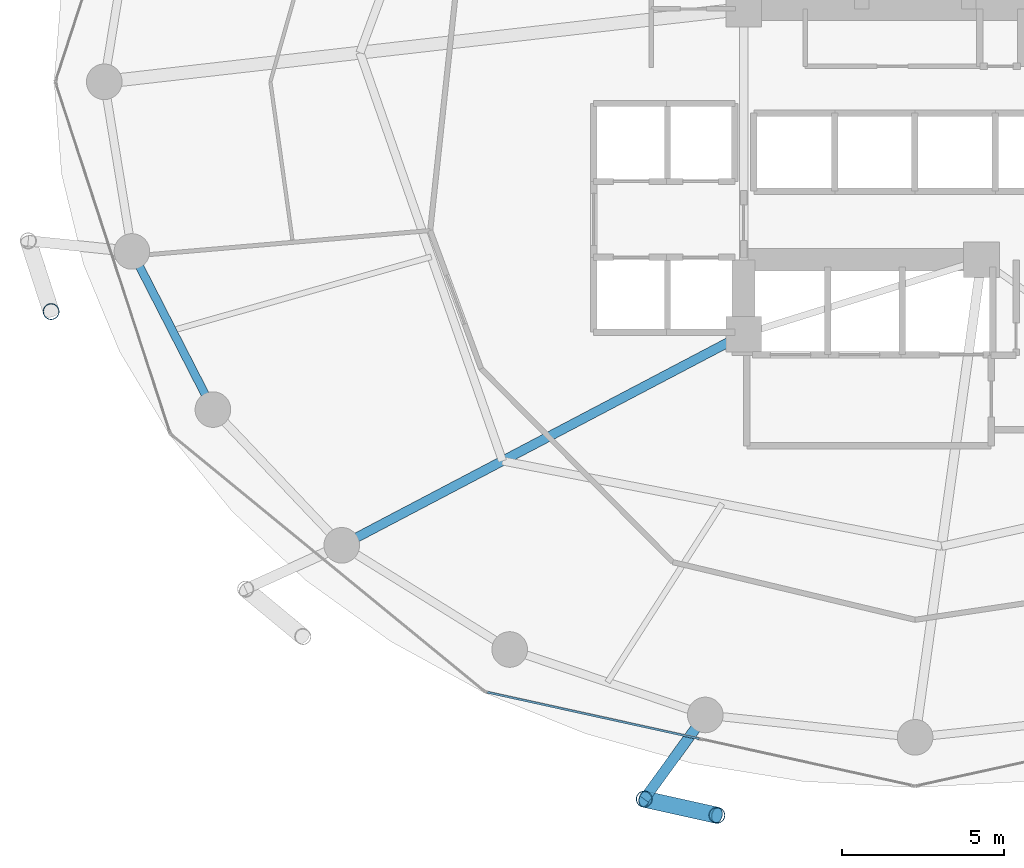
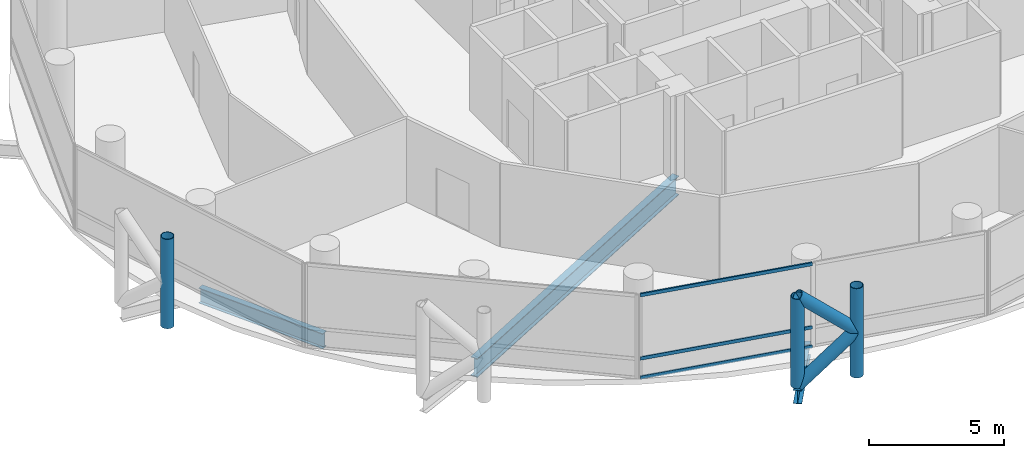
# One storey, part 3 of 24: 8 members, 3 beams, 1 element without a shape of its own.
"""IFC4 building model written with IfcOpenShell, lengths in metres."""

from ifc_helpers import new_model, si_unit, direction, frame, origin, origin_2d, place, context, subcontext, project, spatial, hollow_rectangle, hollow_circle, i_section, extrude, material, layer, layer_set, material_profile, profile_set, type_object, element, aggregate, save


model = new_model("IFC4")

# Units and contexts
model_context = context("Model", 3, precision=1e-05, world=origin(), true_north=direction((0.0, 1.0)))
body_context = subcontext(model_context, "Body", "Model", "MODEL_VIEW")
ifc_project = project(units=[si_unit("LENGTHUNIT", "METRE"), si_unit("AREAUNIT", "SQUARE_METRE"), si_unit("VOLUMEUNIT", "CUBIC_METRE"), si_unit("PLANEANGLEUNIT", "RADIAN"), si_unit("MASSUNIT", "GRAM", prefix="KILO")], contexts=[model_context])

# Site, building, storey
site_placement = place(None, origin())
site = spatial("IfcSite", under=ifc_project, at=site_placement, CompositionType="ELEMENT")
building_placement = place(site_placement, origin())
building = spatial("IfcBuilding", under=site, at=building_placement, Name="Nuhasar Tower", CompositionType="ELEMENT")
storey_placement = place(building_placement, frame((0.0, 0.0, 85.800048828125)))
storey = spatial("IfcBuildingStorey", under=building, at=storey_placement, Name="L20", CompositionType="ELEMENT", Elevation=85.800048828125)

# Beams
ifc_material_1 = material(Name="Steel S355", Category="steel")
ifc_material_profile_1 = material_profile(ifc_material_1, i_section(OverallWidth=0.2919921875, OverallDepth=0.85888671875, WebThickness=0.01708984375, FlangeThickness=0.031005859375, at=origin_2d()), Name="W33X169")
ifc_profile_set_1 = profile_set([ifc_material_profile_1], Name="Steel S355")
beam_type_1 = type_object("IfcBeamType", Name="BM-POD-W33X169", PredefinedType="BEAM", material=ifc_profile_set_1)
beam_1_placement = place(storey_placement, frame((33.699951171875, 19.0, -0.679931640625), z_axis=(-0.885330348705, -0.464962550816, 0.0), x_axis=(0.464962550816, -0.885330348705, 0.0)))
element("IfcBeam", 1, at=beam_1_placement, inside=storey, type_object=beam_type_1, Name="L20 Radial Floor Girder 01", PredefinedType="BEAM", context=body_context, shape_type="SweptSolid", body=[
    extrude(i_section(OverallWidth=0.2919921875, OverallDepth=0.85888671875, WebThickness=0.01708984375, FlangeThickness=0.031005859375, at=origin_2d()), origin(), (0.0, 0.0, 1.0), 14.0205078125),
])
ifc_material_profile_2 = material_profile(ifc_material_1, i_section(OverallWidth=0.256103515625, OverallDepth=0.693115234375, WebThickness=0.014404296875, FlangeThickness=0.023681640625, at=origin_2d()), Name="W27X114")
ifc_profile_set_2 = profile_set([ifc_material_profile_2], Name="Steel S355")
beam_type_2 = type_object("IfcBeamType", Name="BM-RING-W27X114", PredefinedType="SPANDREL", material=ifc_profile_set_2)
beam_2_placement = place(storey_placement, frame((14.803955078125, 21.55908203125, -0.59716796875), z_axis=(0.455930023905, -0.890015625314, 0.0), x_axis=(0.890015625314, 0.455930023905, 0.0)))
element("IfcBeam", 2, at=beam_2_placement, inside=storey, type_object=beam_type_2, Name="L20 Perimeter Ring Spandrel 14", PredefinedType="SPANDREL", context=body_context, shape_type="SweptSolid", body=[
    extrude(i_section(OverallWidth=0.256103515625, OverallDepth=0.693115234375, WebThickness=0.014404296875, FlangeThickness=0.023681640625, at=origin_2d()), origin(), (0.0, 0.0, 1.0), 5.487548828125),
])
ifc_material_profile_3 = material_profile(ifc_material_1, i_section(OverallWidth=0.323974609375, OverallDepth=0.611083984375, WebThickness=0.0126953125, FlangeThickness=0.01904296875, at=origin_2d()), Name="W24X104")
ifc_profile_set_3 = profile_set([ifc_material_profile_3], Name="Steel S355")
beam_type_3 = type_object("IfcBeamType", Name="BM-TIE-W24X104", PredefinedType="BEAM", material=ifc_profile_set_3)
beam_3_placement = place(storey_placement, frame((32.51708984375, 7.239990234375, -0.554931640625), z_axis=(-0.587403316448, -0.809294349311, 0.0), x_axis=(0.809294349311, -0.587403316448, 0.0)))
element("IfcBeam", 3, at=beam_3_placement, inside=storey, type_object=beam_type_3, Name="L20 Exoskeleton Node Tie Beam 09", PredefinedType="BEAM", context=body_context, shape_type="SweptSolid", body=[
    extrude(i_section(OverallWidth=0.323974609375, OverallDepth=0.611083984375, WebThickness=0.0126953125, FlangeThickness=0.01904296875, at=origin_2d()), origin(), (0.0, 0.0, 1.0), 3.212890625),
])

# Curtain wall, members
ifc_material_2 = material(Name="Aluminium 6063-T6", Category="aluminium")
ifc_layer = layer(ifc_material_2, 0.199951171875)
ifc_layer_set = layer_set([ifc_layer], Name="Aluminium 6063-T6")
curtain_wall_type = type_object("IfcCurtainWallType", Name="CW-Z1-OFF", PredefinedType="NOTDEFINED", material=ifc_layer_set)
curtain_wall_placement = place(storey_placement, origin())
curtain_wall = element("IfcCurtainWall", 4, at=curtain_wall_placement, inside=storey, type_object=curtain_wall_type, Name="L20 Unitised Curtain Wall 09", PredefinedType="NOTDEFINED")
ifc_material_profile_4 = material_profile(ifc_material_2, hollow_rectangle(XDim=0.06494140625, YDim=0.14990234375, WallThickness=0.00439453125, at=origin_2d()), Name="CWT-2")
ifc_profile_set_4 = profile_set([ifc_material_profile_4], Name="Aluminium 6063-T6")
member_type_1 = type_object("IfcMemberType", Name="CW-TRN-S2", PredefinedType="USERDEFINED", material=ifc_profile_set_4)
member_1_placement = place(storey_placement, frame((25.783447265625, 7.941162109375, 0.032470703125), z_axis=(0.976741923778, -0.214418316228, 0.0), x_axis=(0.214418316228, 0.976741923778, 0.0)))
member_1 = element("IfcMember", 5, at=member_1_placement, type_object=member_type_1, Name="CW-Z1 transom 1.1", ObjectType="TRANSOM", PredefinedType="USERDEFINED", context=body_context, shape_type="SweptSolid", body=[
    extrude(hollow_rectangle(XDim=0.06494140625, YDim=0.14990234375, WallThickness=0.00439453125, at=origin_2d()), origin(), (0.0, 0.0, 1.0), 6.70068359375),
])
member_2_placement = place(storey_placement, frame((25.783447265625, 7.941162109375, 0.89990234375), z_axis=(0.976741923778, -0.214418316228, 0.0), x_axis=(0.214418316228, 0.976741923778, 0.0)))
member_2 = element("IfcMember", 6, at=member_2_placement, type_object=member_type_1, Name="CW-Z1 transom 1.2", ObjectType="TRANSOM", PredefinedType="USERDEFINED", context=body_context, shape_type="SweptSolid", body=[
    extrude(hollow_rectangle(XDim=0.06494140625, YDim=0.14990234375, WallThickness=0.00439453125, at=origin_2d()), origin(), (0.0, 0.0, 1.0), 6.70068359375),
])
member_3_placement = place(storey_placement, frame((25.783447265625, 7.941162109375, 3.767333984375), z_axis=(0.976741923778, -0.214418316228, 0.0), x_axis=(0.214418316228, 0.976741923778, 0.0)))
member_3 = element("IfcMember", 7, at=member_3_placement, type_object=member_type_1, Name="CW-Z1 transom 1.3", ObjectType="TRANSOM", PredefinedType="USERDEFINED", context=body_context, shape_type="SweptSolid", body=[
    extrude(hollow_rectangle(XDim=0.06494140625, YDim=0.14990234375, WallThickness=0.00439453125, at=origin_2d()), origin(), (0.0, 0.0, 1.0), 6.70068359375),
])
aggregate(curtain_wall, [member_1, member_2, member_3])

# Members
ifc_material_3 = material(Name="Steel S460", Category="steel")
ifc_material_profile_5 = material_profile(ifc_material_3, hollow_circle(Radius=0.25390625, WallThickness=0.025390625, at=origin_2d()), Name="HSS508X25.4")
ifc_profile_set_5 = profile_set([ifc_material_profile_5], Name="Steel S460")
member_type_2 = type_object("IfcMemberType", Name="EXO-BRONZE-508", PredefinedType="BRACE", material=ifc_profile_set_5)
for number, where, z_axis, x_axis, name in (
    (8, (12.30810546875, 19.700927734375, 0.0), (0.0, 0.0, 1.0), (1.0, 0.0, 0.0), "L20 Exoskeleton Chord Column EC-07B"),
    (9, (30.6298828125, 4.639892578125, 0.0), (0.0, 0.0, 1.0), (1.0, 0.0, 0.0), "L20 Exoskeleton Chord Column EC-09A"),
    (10, (32.8759765625, 4.14111328125, 0.0), (0.0, 0.0, 1.0), (1.0, 0.0, 0.0), "L20 Exoskeleton Chord Column EC-09B"),
):
    element("IfcMember", number, at=place(storey_placement, frame(where, z_axis=z_axis, x_axis=x_axis)), inside=storey, type_object=member_type_2, Name=name, PredefinedType="BRACE", context=body_context, shape_type="SweptSolid", body=[
        extrude(hollow_circle(Radius=0.25390625, WallThickness=0.025390625, at=origin_2d()), origin(), (0.0, 0.0, 1.0), 4.050048828125),
    ])
member_4_placement = place(storey_placement, frame((30.6298828125, 4.639892578125, 0.0), z_axis=(0.732830973624, -0.162736269469, 0.66066305383), x_axis=(0.216784396973, 0.976219506683, 0.0)))
element("IfcMember", 11, at=member_4_placement, inside=storey, type_object=member_type_2, Name="L20 Bronze Diagrid Brace W1-09", PredefinedType="BRACE", context=body_context, shape_type="SweptSolid", body=[
    extrude(hollow_circle(Radius=0.25390625, WallThickness=0.025390625, at=origin_2d()), origin(), (0.0, 0.0, 1.0), 3.06494140625),
])
member_5_placement = place(storey_placement, frame((32.8759765625, 4.14111328125, 2.02490234375), z_axis=(-0.732792408767, 0.162727705556, 0.660707938122), x_axis=(-0.216784396973, -0.976219506683, 0.0)))
element("IfcMember", 12, at=member_5_placement, inside=storey, type_object=member_type_2, Name="L20 Bronze Diagrid Brace W2-09", PredefinedType="BRACE", context=body_context, shape_type="SweptSolid", body=[
    extrude(hollow_circle(Radius=0.25390625, WallThickness=0.025390625, at=origin_2d()), origin(), (0.0, 0.0, 1.0), 3.065185546875),
])

save(model, "model.ifc")
